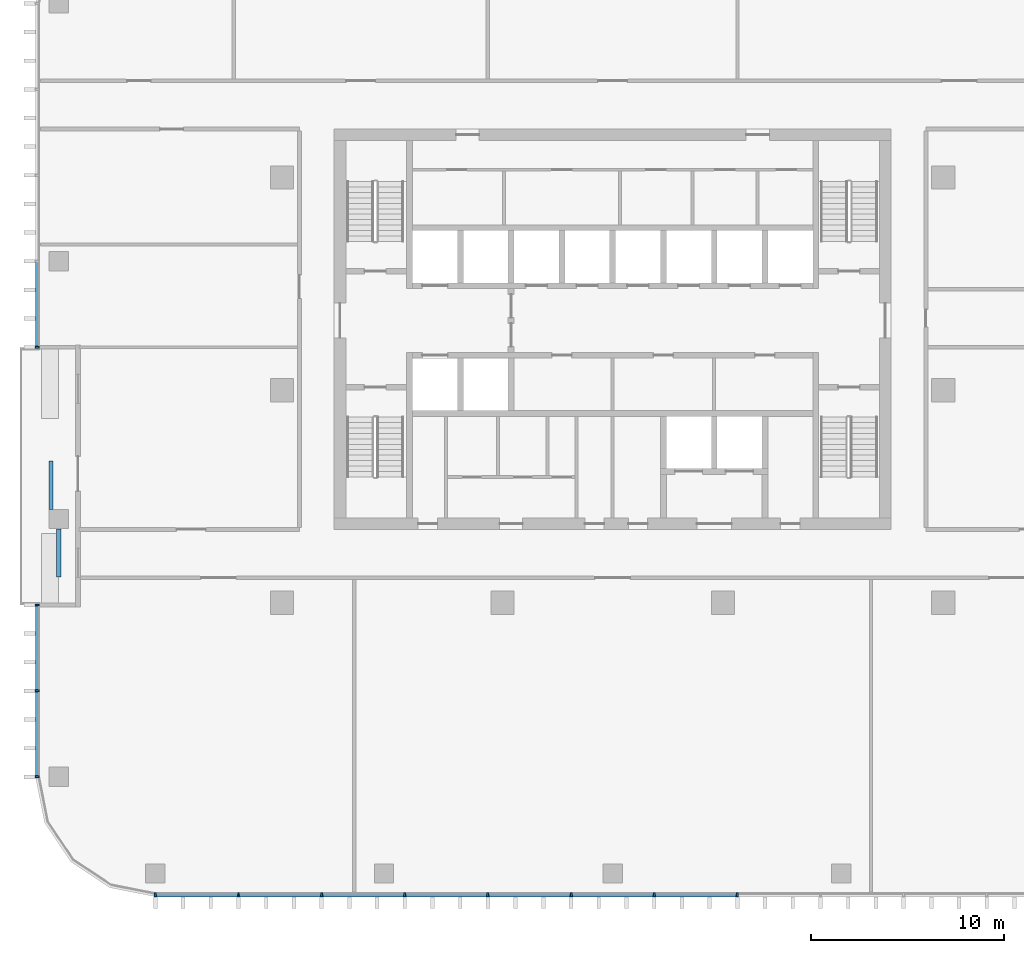
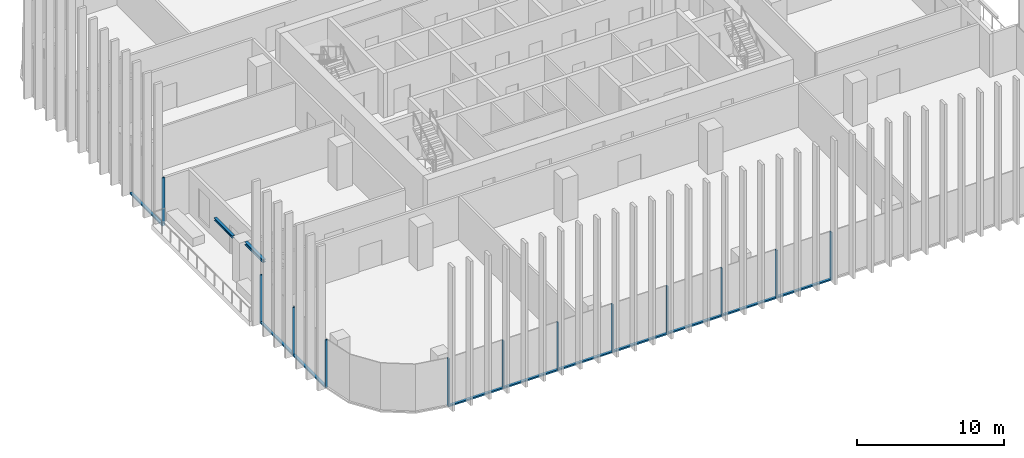
# One storey, part 2 of 16: 22 members, 2 beams, 3 elements without a shape of their own.
"""IFC4 building model written with IfcOpenShell, lengths in metres."""

from ifc_helpers import new_model, si_unit, direction, frame, origin, origin_2d, place, context, subcontext, project, spatial, rectangle, i_section, extrude, material, material_profile, profile_set, type_object, element, aggregate, save


model = new_model("IFC4")

# Units and contexts
model_context = context("Model", 3, precision=1e-05, world=origin(), true_north=direction((0.0, 1.0)))
body_context = subcontext(model_context, "Body", "Model", "MODEL_VIEW")
ifc_project = project(units=[si_unit("LENGTHUNIT", "METRE"), si_unit("AREAUNIT", "SQUARE_METRE"), si_unit("VOLUMEUNIT", "CUBIC_METRE"), si_unit("PLANEANGLEUNIT", "RADIAN"), si_unit("MASSUNIT", "GRAM", prefix="KILO")], contexts=[model_context])

# Site, building, storey
site_placement = place(None, origin())
site = spatial("IfcSite", under=ifc_project, at=site_placement, CompositionType="ELEMENT")
building_placement = place(site_placement, origin())
building = spatial("IfcBuilding", under=site, at=building_placement, Name="Mopane Tessera Tower", CompositionType="ELEMENT")
storey_placement = place(building_placement, frame((0.0, 0.0, 267.39990234375)))
storey = spatial("IfcBuildingStorey", under=building, at=storey_placement, Name="L57", CompositionType="ELEMENT", Elevation=267.39990234375)

# Curtain wall, members
ifc_material_1 = material(Name="Aluminium frame", Category="aluminium")
curtain_wall_type = type_object("IfcCurtainWallType", Name="Unitised curtain wall", PredefinedType="NOTDEFINED", material=ifc_material_1)
curtain_wall_1_placement = place(storey_placement, origin())
curtain_wall_1 = element("IfcCurtainWall", 1, at=curtain_wall_1_placement, inside=storey, type_object=curtain_wall_type, Name="e:cw:L57:S:0", PredefinedType="NOTDEFINED")
ifc_material_2 = material(Name="Aluminium frame", Category="aluminium")
ifc_material_profile_1 = material_profile(ifc_material_2, rectangle(XDim=0.10009765625, YDim=0.199951171875, at=origin_2d()))
ifc_profile_set_1 = profile_set([ifc_material_profile_1], Name="Aluminium frame")
member_type_1 = type_object("IfcMemberType", Name="Aluminium mullion 100 x 200", PredefinedType="MULLION", material=ifc_profile_set_1)
member_1_placement = place(storey_placement, frame((-23.64990234375, -26.10009765625, -0.39990234375), z_axis=(0.0, 0.0, 1.0), x_axis=(1.0, 0.0, 0.0)))
member_1 = element("IfcMember", 2, at=member_1_placement, type_object=member_type_1, Name="e:cw:L57:S:0:mu0", PredefinedType="MULLION", context=body_context, shape_type="SweptSolid", body=[
    extrude(rectangle(XDim=0.10009765625, YDim=0.199951171875, at=origin_2d()), origin(), (0.0, 0.0, 1.0), 4.0),
])
member_2_placement = place(storey_placement, frame((-19.35009765625, -26.10009765625, -0.39990234375), z_axis=(0.0, 0.0, 1.0), x_axis=(1.0, 0.0, 0.0)))
member_2 = element("IfcMember", 3, at=member_2_placement, type_object=member_type_1, Name="e:cw:L57:S:0:mu1", PredefinedType="MULLION", context=body_context, shape_type="SweptSolid", body=[
    extrude(rectangle(XDim=0.10009765625, YDim=0.199951171875, at=origin_2d()), origin(), (0.0, 0.0, 1.0), 4.0),
])
member_3_placement = place(storey_placement, frame((-15.050048828125, -26.10009765625, -0.39990234375), z_axis=(0.0, 0.0, 1.0), x_axis=(1.0, 0.0, 0.0)))
member_3 = element("IfcMember", 4, at=member_3_placement, type_object=member_type_1, Name="e:cw:L57:S:0:mu2", PredefinedType="MULLION", context=body_context, shape_type="SweptSolid", body=[
    extrude(rectangle(XDim=0.10009765625, YDim=0.199951171875, at=origin_2d()), origin(), (0.0, 0.0, 1.0), 4.0),
])
member_4_placement = place(storey_placement, frame((-10.75, -26.10009765625, -0.39990234375), z_axis=(0.0, 0.0, 1.0), x_axis=(1.0, 0.0, 0.0)))
member_4 = element("IfcMember", 5, at=member_4_placement, type_object=member_type_1, Name="e:cw:L57:S:0:mu3", PredefinedType="MULLION", context=body_context, shape_type="SweptSolid", body=[
    extrude(rectangle(XDim=0.10009765625, YDim=0.199951171875, at=origin_2d()), origin(), (0.0, 0.0, 1.0), 4.0),
])
member_5_placement = place(storey_placement, frame((-6.449951171875, -26.10009765625, -0.39990234375), z_axis=(0.0, 0.0, 1.0), x_axis=(1.0, 0.0, 0.0)))
member_5 = element("IfcMember", 6, at=member_5_placement, type_object=member_type_1, Name="e:cw:L57:S:0:mu4", PredefinedType="MULLION", context=body_context, shape_type="SweptSolid", body=[
    extrude(rectangle(XDim=0.10009765625, YDim=0.199951171875, at=origin_2d()), origin(), (0.0, 0.0, 1.0), 4.0),
])
member_6_placement = place(storey_placement, frame((-2.14990234375, -26.10009765625, -0.39990234375), z_axis=(0.0, 0.0, 1.0), x_axis=(1.0, 0.0, 0.0)))
member_6 = element("IfcMember", 7, at=member_6_placement, type_object=member_type_1, Name="e:cw:L57:S:0:mu5", PredefinedType="MULLION", context=body_context, shape_type="SweptSolid", body=[
    extrude(rectangle(XDim=0.10009765625, YDim=0.199951171875, at=origin_2d()), origin(), (0.0, 0.0, 1.0), 4.0),
])
member_7_placement = place(storey_placement, frame((2.14990234375, -26.10009765625, -0.39990234375), z_axis=(0.0, 0.0, 1.0), x_axis=(1.0, 0.0, 0.0)))
member_7 = element("IfcMember", 8, at=member_7_placement, type_object=member_type_1, Name="e:cw:L57:S:0:mu6", PredefinedType="MULLION", context=body_context, shape_type="SweptSolid", body=[
    extrude(rectangle(XDim=0.10009765625, YDim=0.199951171875, at=origin_2d()), origin(), (0.0, 0.0, 1.0), 4.0),
])
member_8_placement = place(storey_placement, frame((6.449951171875, -26.10009765625, -0.39990234375), z_axis=(0.0, 0.0, 1.0), x_axis=(1.0, 0.0, 0.0)))
member_8 = element("IfcMember", 9, at=member_8_placement, type_object=member_type_1, Name="e:cw:L57:S:0:mu7", PredefinedType="MULLION", context=body_context, shape_type="SweptSolid", body=[
    extrude(rectangle(XDim=0.10009765625, YDim=0.199951171875, at=origin_2d()), origin(), (0.0, 0.0, 1.0), 4.0),
])

# Curtain wall, member
curtain_wall_2_placement = place(storey_placement, origin())
curtain_wall_2 = element("IfcCurtainWall", 10, at=curtain_wall_2_placement, inside=storey, type_object=curtain_wall_type, Name="e:cw:L57:W:0", PredefinedType="NOTDEFINED")
member_9_placement = place(storey_placement, frame((-29.75, 2.22216796875, -0.39990234375), z_axis=(0.0, 0.0, 1.0), x_axis=(0.0, -1.0, 0.0)))
member_9 = element("IfcMember", 11, at=member_9_placement, type_object=member_type_1, Name="e:cw:L57:W:0:mu4", PredefinedType="MULLION", context=body_context, shape_type="SweptSolid", body=[
    extrude(rectangle(XDim=0.10009765625, YDim=0.199951171875, at=origin_2d()), origin(), (0.0, 0.0, 1.0), 4.0),
])

# Curtain wall, members
curtain_wall_3_placement = place(storey_placement, origin())
curtain_wall_3 = element("IfcCurtainWall", 12, at=curtain_wall_3_placement, inside=storey, type_object=curtain_wall_type, Name="e:cw:L57:W:7", PredefinedType="NOTDEFINED")
member_10_placement = place(storey_placement, frame((-29.75, -11.111083984375, -0.39990234375), z_axis=(0.0, 0.0, 1.0), x_axis=(0.0, -1.0, 0.0)))
member_10 = element("IfcMember", 13, at=member_10_placement, type_object=member_type_1, Name="e:cw:L57:W:7:mu7", PredefinedType="MULLION", context=body_context, shape_type="SweptSolid", body=[
    extrude(rectangle(XDim=0.10009765625, YDim=0.199951171875, at=origin_2d()), origin(), (0.0, 0.0, 1.0), 4.0),
])
member_11_placement = place(storey_placement, frame((-29.75, -15.5556640625, -0.39990234375), z_axis=(0.0, 0.0, 1.0), x_axis=(0.0, -1.0, 0.0)))
member_11 = element("IfcMember", 14, at=member_11_placement, type_object=member_type_1, Name="e:cw:L57:W:7:mu8", PredefinedType="MULLION", context=body_context, shape_type="SweptSolid", body=[
    extrude(rectangle(XDim=0.10009765625, YDim=0.199951171875, at=origin_2d()), origin(), (0.0, 0.0, 1.0), 4.0),
])
member_12_placement = place(storey_placement, frame((-29.75, -20.0, -0.39990234375), z_axis=(0.0, 0.0, 1.0), x_axis=(0.0, -1.0, 0.0)))
member_12 = element("IfcMember", 15, at=member_12_placement, type_object=member_type_1, Name="e:cw:L57:W:7:mu9", PredefinedType="MULLION", context=body_context, shape_type="SweptSolid", body=[
    extrude(rectangle(XDim=0.10009765625, YDim=0.199951171875, at=origin_2d()), origin(), (0.0, 0.0, 1.0), 4.0),
])

# Member
ifc_material_3 = material(Name="Aluminium frame", Category="aluminium")
ifc_material_profile_2 = material_profile(ifc_material_3, rectangle(XDim=0.199951171875, YDim=0.1201171875, at=origin_2d()))
ifc_profile_set_2 = profile_set([ifc_material_profile_2], Name="Aluminium frame")
member_type_2 = type_object("IfcMemberType", Name="Aluminium transom 200 x 120", PredefinedType="USERDEFINED", material=ifc_profile_set_2)
member_13_placement = place(storey_placement, frame((-23.60009765625, -26.10009765625, -0.33984375), z_axis=(1.0, 0.0, 0.0), x_axis=(0.0, 1.0, 0.0)))
member_13 = element("IfcMember", 16, at=member_13_placement, type_object=member_type_2, Name="e:cw:L57:S:0:tr0", ObjectType="TRANSOM", PredefinedType="USERDEFINED", context=body_context, shape_type="SweptSolid", body=[
    extrude(rectangle(XDim=0.199951171875, YDim=0.1201171875, at=origin_2d()), origin(), (0.0, 0.0, 1.0), 4.2001953125),
])

member_14_placement = place(storey_placement, frame((-19.300048828125, -26.10009765625, -0.33984375), z_axis=(1.0, 0.0, 0.0), x_axis=(0.0, 1.0, 0.0)))
member_14 = element("IfcMember", 17, at=member_14_placement, type_object=member_type_2, Name="e:cw:L57:S:0:tr1", ObjectType="TRANSOM", PredefinedType="USERDEFINED", context=body_context, shape_type="SweptSolid", body=[
    extrude(rectangle(XDim=0.199951171875, YDim=0.1201171875, at=origin_2d()), origin(), (0.0, 0.0, 1.0), 4.199951171875),
])

member_15_placement = place(storey_placement, frame((-15.0, -26.10009765625, -0.33984375), z_axis=(1.0, 0.0, 0.0), x_axis=(0.0, 1.0, 0.0)))
member_15 = element("IfcMember", 18, at=member_15_placement, type_object=member_type_2, Name="e:cw:L57:S:0:tr2", ObjectType="TRANSOM", PredefinedType="USERDEFINED", context=body_context, shape_type="SweptSolid", body=[
    extrude(rectangle(XDim=0.199951171875, YDim=0.1201171875, at=origin_2d()), origin(), (0.0, 0.0, 1.0), 4.199951171875),
])

member_16_placement = place(storey_placement, frame((-10.699951171875, -26.10009765625, -0.33984375), z_axis=(1.0, 0.0, 0.0), x_axis=(0.0, 1.0, 0.0)))
member_16 = element("IfcMember", 19, at=member_16_placement, type_object=member_type_2, Name="e:cw:L57:S:0:tr3", ObjectType="TRANSOM", PredefinedType="USERDEFINED", context=body_context, shape_type="SweptSolid", body=[
    extrude(rectangle(XDim=0.199951171875, YDim=0.1201171875, at=origin_2d()), origin(), (0.0, 0.0, 1.0), 4.199951171875),
])

member_17_placement = place(storey_placement, frame((-6.39990234375, -26.10009765625, -0.33984375), z_axis=(1.0, 0.0, 0.0), x_axis=(0.0, 1.0, 0.0)))
member_17 = element("IfcMember", 20, at=member_17_placement, type_object=member_type_2, Name="e:cw:L57:S:0:tr4", ObjectType="TRANSOM", PredefinedType="USERDEFINED", context=body_context, shape_type="SweptSolid", body=[
    extrude(rectangle(XDim=0.199951171875, YDim=0.1201171875, at=origin_2d()), origin(), (0.0, 0.0, 1.0), 4.199951171875),
])

member_18_placement = place(storey_placement, frame((-2.10009765625, -26.10009765625, -0.33984375), z_axis=(1.0, 0.0, 0.0), x_axis=(0.0, 1.0, 0.0)))
member_18 = element("IfcMember", 21, at=member_18_placement, type_object=member_type_2, Name="e:cw:L57:S:0:tr5", ObjectType="TRANSOM", PredefinedType="USERDEFINED", context=body_context, shape_type="SweptSolid", body=[
    extrude(rectangle(XDim=0.199951171875, YDim=0.1201171875, at=origin_2d()), origin(), (0.0, 0.0, 1.0), 4.2001953125),
])

member_19_placement = place(storey_placement, frame((2.199951171875, -26.10009765625, -0.33984375), z_axis=(1.0, 0.0, 0.0), x_axis=(0.0, 1.0, 0.0)))
member_19 = element("IfcMember", 22, at=member_19_placement, type_object=member_type_2, Name="e:cw:L57:S:0:tr6", ObjectType="TRANSOM", PredefinedType="USERDEFINED", context=body_context, shape_type="SweptSolid", body=[
    extrude(rectangle(XDim=0.199951171875, YDim=0.1201171875, at=origin_2d()), origin(), (0.0, 0.0, 1.0), 4.199951171875),
])

aggregate(curtain_wall_1, [member_1, member_2, member_3, member_4, member_5, member_6, member_7, member_8, member_13, member_14, member_15, member_16, member_17, member_18, member_19])

member_20_placement = place(storey_placement, frame((-29.75, 6.61669921875, -0.33984375), z_axis=(0.0, -1.0, 0.0), x_axis=(1.0, 0.0, 0.0)))
member_20 = element("IfcMember", 23, at=member_20_placement, type_object=member_type_2, Name="e:cw:L57:W:0:tr3", ObjectType="TRANSOM", PredefinedType="USERDEFINED", context=body_context, shape_type="SweptSolid", body=[
    extrude(rectangle(XDim=0.199951171875, YDim=0.1201171875, at=origin_2d()), origin(), (0.0, 0.0, 1.0), 4.344482421875),
])

aggregate(curtain_wall_2, [member_9, member_20])

member_21_placement = place(storey_placement, frame((-29.75, -11.1611328125, -0.33984375), z_axis=(0.0, -1.0, 0.0), x_axis=(1.0, 0.0, 0.0)))
member_21 = element("IfcMember", 24, at=member_21_placement, type_object=member_type_2, Name="e:cw:L57:W:7:tr7", ObjectType="TRANSOM", PredefinedType="USERDEFINED", context=body_context, shape_type="SweptSolid", body=[
    extrude(rectangle(XDim=0.199951171875, YDim=0.1201171875, at=origin_2d()), origin(), (0.0, 0.0, 1.0), 4.344482421875),
])

member_22_placement = place(storey_placement, frame((-29.75, -15.60546875, -0.33984375), z_axis=(0.0, -1.0, 0.0), x_axis=(1.0, 0.0, 0.0)))
member_22 = element("IfcMember", 25, at=member_22_placement, type_object=member_type_2, Name="e:cw:L57:W:7:tr8", ObjectType="TRANSOM", PredefinedType="USERDEFINED", context=body_context, shape_type="SweptSolid", body=[
    extrude(rectangle(XDim=0.199951171875, YDim=0.1201171875, at=origin_2d()), origin(), (0.0, 0.0, 1.0), 4.344482421875),
])

aggregate(curtain_wall_3, [member_10, member_11, member_12, member_21, member_22])

# Beams
ifc_material_4 = material(Name="Structural steel S460", Category="steel")
ifc_material_profile_3 = material_profile(ifc_material_4, i_section(OverallWidth=0.239990234375, OverallDepth=0.239990234375, WebThickness=0.010009765625, FlangeThickness=0.01708984375, FilletRadius=0.02099609375, at=origin_2d()))
ifc_profile_set_3 = profile_set([ifc_material_profile_3], Name="Structural steel S460")
beam_type_1 = type_object("IfcBeamType", Name="Terrace spandrel beam HE 240 B", PredefinedType="SPANDREL", material=ifc_profile_set_3)
beam_1_placement = place(storey_placement, frame((-28.64990234375, -7.169677734375, 3.47998046875), z_axis=(0.0, -1.0, 0.0), x_axis=(1.0, 0.0, 0.0)))
element("IfcBeam", 26, at=beam_1_placement, inside=storey, type_object=beam_type_1, Name="Terrace spandrel beam N3 L58", PredefinedType="SPANDREL", context=body_context, shape_type="SweptSolid", body=[
    extrude(i_section(OverallWidth=0.239990234375, OverallDepth=0.239990234375, WebThickness=0.010009765625, FlangeThickness=0.01708984375, FilletRadius=0.02099609375, at=origin_2d()), origin(), (0.0, 0.0, 1.0), 2.5),
])
ifc_material_5 = material(Name="Structural steel S460", Category="steel")
ifc_material_profile_4 = material_profile(ifc_material_5, i_section(OverallWidth=0.199951171875, OverallDepth=0.199951171875, WebThickness=0.009033203125, FlangeThickness=0.014892578125, FilletRadius=0.01806640625, at=origin_2d()))
ifc_profile_set_4 = profile_set([ifc_material_profile_4], Name="Structural steel S460")
beam_type_2 = type_object("IfcBeamType", Name="Terrace trimmer beam HE 200 B", PredefinedType="BEAM", material=ifc_profile_set_4)
beam_2_placement = place(storey_placement, frame((-29.0498046875, -6.163818359375, 3.5), z_axis=(0.0, 1.0, 0.0), x_axis=(-1.0, 0.0, 0.0)))
element("IfcBeam", 27, at=beam_2_placement, inside=storey, type_object=beam_type_2, Name="Terrace trimmer beam N3 L58", PredefinedType="BEAM", context=body_context, shape_type="SweptSolid", body=[
    extrude(i_section(OverallWidth=0.199951171875, OverallDepth=0.199951171875, WebThickness=0.009033203125, FlangeThickness=0.014892578125, FilletRadius=0.01806640625, at=origin_2d()), origin(), (0.0, 0.0, 1.0), 2.5),
])

save(model, "model.ifc")
